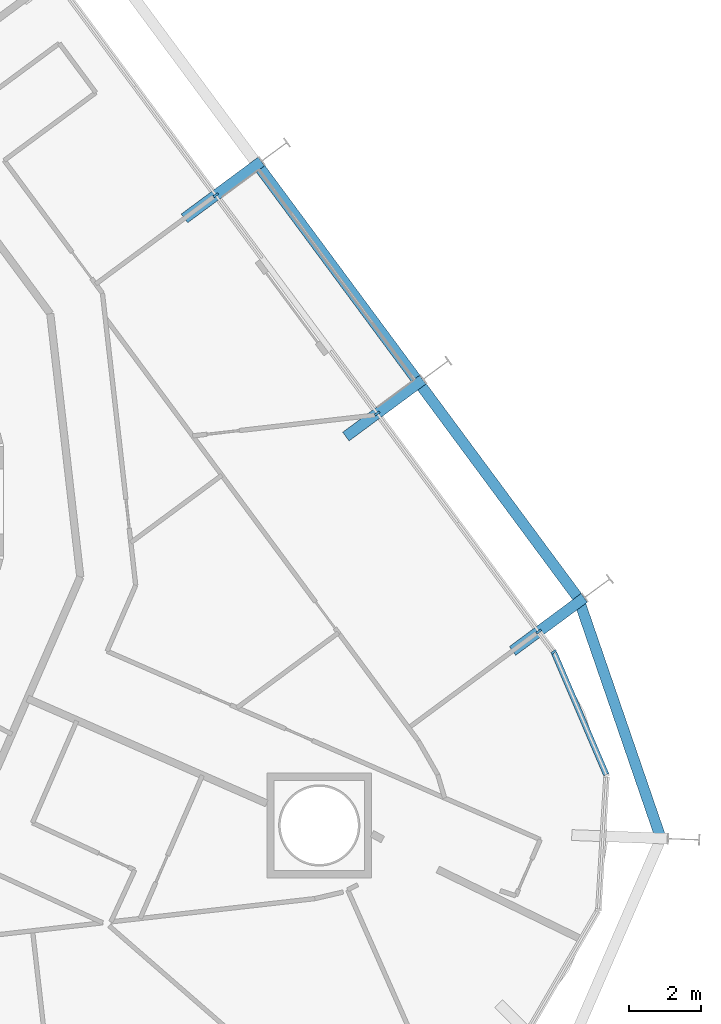
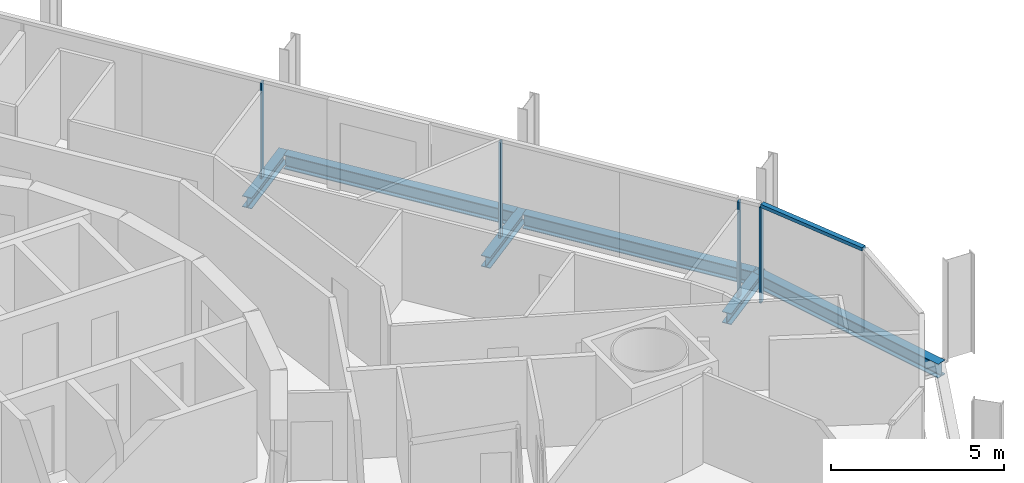
# One storey, part 8 of 23: 6 beams, 5 members, 2 elements without a shape of their own.
"""IFC4 building model written with IfcOpenShell, lengths in metres."""

from ifc_helpers import new_model, si_unit, direction, frame, origin, origin_2d, place, context, subcontext, project, spatial, rectangle, i_section, extrude, material, layer, layer_set, material_profile, profile_set, type_object, element, aggregate, save


model = new_model("IFC4")

# Units and contexts
model_context = context("Model", 3, precision=1e-05, world=origin(), true_north=direction((0.0, 1.0)))
body_context = subcontext(model_context, "Body", "Model", "MODEL_VIEW")
ifc_project = project(units=[si_unit("LENGTHUNIT", "METRE"), si_unit("AREAUNIT", "SQUARE_METRE"), si_unit("VOLUMEUNIT", "CUBIC_METRE"), si_unit("PLANEANGLEUNIT", "RADIAN"), si_unit("MASSUNIT", "GRAM", prefix="KILO")], contexts=[model_context])

# Site, building, storey
site_placement = place(None, origin())
site = spatial("IfcSite", under=ifc_project, at=site_placement, CompositionType="ELEMENT")
building_placement = place(site_placement, origin())
building = spatial("IfcBuilding", under=site, at=building_placement, Name="Spindle Arch Residences", CompositionType="ELEMENT")
storey_placement = place(building_placement, frame((0.0, 0.0, 83.699951171875)))
storey = spatial("IfcBuildingStorey", under=building, at=storey_placement, Name="L19", CompositionType="ELEMENT", Elevation=83.699951171875)

# Curtain wall, member
ifc_material_1 = material(Name="Aluminium bronze unitised frame with tinted glass", Category="aluminium")
ifc_layer_1 = layer(ifc_material_1, 0.159912109375)
ifc_layer_set_1 = layer_set([ifc_layer_1], Name="CW-D corner wall on the fillet arcs")
curtain_wall_type_1 = type_object("IfcCurtainWallType", Name="CW-D corner wall on the fillet arcs", PredefinedType="NOTDEFINED", material=ifc_layer_set_1)
curtain_wall_1_placement = place(storey_placement, origin())
curtain_wall_1 = element("IfcCurtainWall", 1, at=curtain_wall_1_placement, inside=storey, type_object=curtain_wall_type_1, Name="CW-D L19 run 1", PredefinedType="NOTDEFINED")
ifc_material_2 = material(Name="Aluminium bronze anodised mullion", Category="aluminium")
ifc_material_profile_1 = material_profile(ifc_material_2, rectangle(XDim=0.159912109375, YDim=0.06005859375, at=origin_2d()), Name="MU 60x160")
ifc_profile_set_1 = profile_set([ifc_material_profile_1], Name="Aluminium bronze anodised mullion")
member_type_1 = type_object("IfcMemberType", Name="Bronze mullion 60x160", PredefinedType="MULLION", material=ifc_profile_set_1)
member_1_placement = place(storey_placement, frame((27.142822265625, -4.171630859375, -0.3798828125), z_axis=(0.0, 0.0, 1.0), x_axis=(-0.803856860617, -0.594822786751, 0.0)))
member_1 = element("IfcMember", 2, at=member_1_placement, type_object=member_type_1, Name="CW-D mullion 05", PredefinedType="MULLION", context=body_context, shape_type="SweptSolid", body=[
    extrude(rectangle(XDim=0.159912109375, YDim=0.06005859375, at=origin_2d()), origin(), (0.0, 0.0, 1.0), 3.3798828125),
])

# Curtain wall, members
ifc_material_3 = material(Name="Aluminium bronze unitised frame with tinted glass", Category="aluminium")
ifc_layer_2 = layer(ifc_material_3, 0.159912109375)
ifc_layer_set_2 = layer_set([ifc_layer_2], Name="CW-C typical residential unitised wall")
curtain_wall_type_2 = type_object("IfcCurtainWallType", Name="CW-C typical residential unitised wall", PredefinedType="NOTDEFINED", material=ifc_layer_set_2)
curtain_wall_2_placement = place(storey_placement, origin())
curtain_wall_2 = element("IfcCurtainWall", 3, at=curtain_wall_2_placement, inside=storey, type_object=curtain_wall_type_2, Name="CW-C L19 run 2", PredefinedType="NOTDEFINED")
member_2_placement = place(storey_placement, frame((26.7255859375, -3.607666015625, -0.3798828125), z_axis=(0.0, 0.0, 1.0), x_axis=(-0.803856860617, -0.594822786751, 0.0)))
member_2 = element("IfcMember", 4, at=member_2_placement, type_object=member_type_1, Name="CW-C mullion 05", PredefinedType="MULLION", context=body_context, shape_type="SweptSolid", body=[
    extrude(rectangle(XDim=0.159912109375, YDim=0.06005859375, at=origin_2d()), origin(), (0.0, 0.0, 1.0), 3.3798828125),
])
member_3_placement = place(storey_placement, frame((22.253173828125, 2.436279296875, -0.3798828125), z_axis=(0.0, 0.0, 1.0), x_axis=(-0.803856860617, -0.594822786751, 0.0)))
member_3 = element("IfcMember", 5, at=member_3_placement, type_object=member_type_1, Name="CW-C mullion 06", PredefinedType="MULLION", context=body_context, shape_type="SweptSolid", body=[
    extrude(rectangle(XDim=0.159912109375, YDim=0.06005859375, at=origin_2d()), origin(), (0.0, 0.0, 1.0), 3.3798828125),
])
member_4_placement = place(storey_placement, frame((17.78076171875, 8.48046875, -0.3798828125), z_axis=(0.0, 0.0, 1.0), x_axis=(-0.803856860617, -0.594822786751, 0.0)))
member_4 = element("IfcMember", 6, at=member_4_placement, type_object=member_type_1, Name="CW-C mullion 07", PredefinedType="MULLION", context=body_context, shape_type="SweptSolid", body=[
    extrude(rectangle(XDim=0.159912109375, YDim=0.06005859375, at=origin_2d()), origin(), (0.0, 0.0, 1.0), 3.3798828125),
])
aggregate(curtain_wall_2, [member_2, member_3, member_4])

# Member
ifc_material_4 = material(Name="Aluminium bronze anodised transom", Category="aluminium")
ifc_material_profile_2 = material_profile(ifc_material_4, rectangle(XDim=0.159912109375, YDim=0.1201171875, at=origin_2d()), Name="TR 120x160")
ifc_profile_set_2 = profile_set([ifc_material_profile_2], Name="Aluminium bronze anodised transom")
member_type_2 = type_object("IfcMemberType", Name="Bronze transom 120x160", PredefinedType="USERDEFINED", material=ifc_profile_set_2)
member_5_placement = place(storey_placement, frame((28.59716796875, -7.5703125, 3.06005859375), z_axis=(-0.393429066236, 0.919354974882, 0.0), x_axis=(-0.919354974882, -0.393429066236, 0.0)))
member_5 = element("IfcMember", 7, at=member_5_placement, type_object=member_type_2, Name="CW-D transom 04", ObjectType="TRANSOM", PredefinedType="USERDEFINED", context=body_context, shape_type="SweptSolid", body=[
    extrude(rectangle(XDim=0.159912109375, YDim=0.1201171875, at=origin_2d()), origin(), (0.0, 0.0, 1.0), 3.666748046875),
])

aggregate(curtain_wall_1, [member_5, member_1])

# Beams
ifc_material_5 = material(Name="Steel S460ML, intumescent coating R 120", Category="steel")
ifc_material_profile_3 = material_profile(ifc_material_5, i_section(OverallWidth=0.300048828125, OverallDepth=0.5, WebThickness=0.014404296875, FlangeThickness=0.028076171875, FilletRadius=0.027099609375, at=origin_2d()), Name="HEB 500")
ifc_profile_set_3 = profile_set([ifc_material_profile_3], Name="Steel S460ML, intumescent coating R 120")
beam_type_1 = type_object("IfcBeamType", Name="Exoskeleton edge beam HEB 500", PredefinedType="BEAM", material=ifc_profile_set_3)
beam_1_placement = place(storey_placement, frame((30.13720703125, -9.4111328125, -0.6298828125), z_axis=(-0.325113431361, 0.94567502703, 0.0), x_axis=(-0.94567502703, -0.325113431361, 0.0)))
element("IfcBeam", 8, at=beam_1_placement, inside=storey, type_object=beam_type_1, Name="Exoskeleton edge beam 5", PredefinedType="BEAM", context=body_context, shape_type="SweptSolid", body=[
    extrude(i_section(OverallWidth=0.300048828125, OverallDepth=0.5, WebThickness=0.014404296875, FlangeThickness=0.028076171875, FilletRadius=0.027099609375, at=origin_2d()), origin(), (0.0, 0.0, 1.0), 7.09423828125),
])
for number, where, z_axis, x_axis, name in (
    (9, (27.800048828125, -2.65087890625, -0.6298828125), (-0.594821272041, 0.803857981441, 0.0), (-0.803857981441, -0.594821272041, 0.0), "Exoskeleton edge beam 6"),
    (10, (23.32763671875, 3.393310546875, -0.6298828125), (-0.594821272041, 0.803857981441, 0.0), (-0.803857981441, -0.594821272041, 0.0), "Exoskeleton edge beam 7"),
):
    element("IfcBeam", number, at=place(storey_placement, frame(where, z_axis=z_axis, x_axis=x_axis)), inside=storey, type_object=beam_type_1, Name=name, PredefinedType="BEAM", context=body_context, shape_type="SweptSolid", body=[
        extrude(i_section(OverallWidth=0.300048828125, OverallDepth=0.5, WebThickness=0.014404296875, FlangeThickness=0.028076171875, FilletRadius=0.027099609375, at=origin_2d()), origin(), (0.0, 0.0, 1.0), 7.2587890625),
    ])
ifc_material_6 = material(Name="Steel S460ML, intumescent coating R 120", Category="steel")
ifc_material_profile_4 = material_profile(ifc_material_6, i_section(OverallWidth=0.300048828125, OverallDepth=0.389892578125, WebThickness=0.010986328125, FlangeThickness=0.01904296875, FilletRadius=0.027099609375, at=origin_2d()), Name="HEA 400")
ifc_profile_set_4 = profile_set([ifc_material_profile_4], Name="Steel S460ML, intumescent coating R 120")
beam_type_2 = type_object("IfcBeamType", Name="Floor outrigger HEA 400", PredefinedType="BEAM", material=ifc_profile_set_4)
beam_2_placement = place(storey_placement, frame((27.987548828125, -2.673828125, -0.574951171875), z_axis=(-0.803824891941, -0.59486598751, 0.0), x_axis=(0.59486598751, -0.803824891941, 0.0)))
element("IfcBeam", 11, at=beam_2_placement, inside=storey, type_object=beam_type_2, Name="Floor outrigger 6", PredefinedType="BEAM", context=body_context, shape_type="SweptSolid", body=[
    extrude(i_section(OverallWidth=0.300048828125, OverallDepth=0.389892578125, WebThickness=0.010986328125, FlangeThickness=0.01904296875, FilletRadius=0.027099609375, at=origin_2d()), origin(), (0.0, 0.0, 1.0), 2.47119140625),
])
beam_3_placement = place(storey_placement, frame((23.51513671875, 3.3701171875, -0.574951171875), z_axis=(-0.803863925893, -0.59481323846, 0.0), x_axis=(0.59481323846, -0.803863925893, 0.0)))
element("IfcBeam", 12, at=beam_3_placement, inside=storey, type_object=beam_type_2, Name="Floor outrigger 7", PredefinedType="BEAM", context=body_context, shape_type="SweptSolid", body=[
    extrude(i_section(OverallWidth=0.300048828125, OverallDepth=0.389892578125, WebThickness=0.010986328125, FlangeThickness=0.01904296875, FilletRadius=0.027099609375, at=origin_2d()), origin(), (0.0, 0.0, 1.0), 2.64990234375),
])
beam_4_placement = place(storey_placement, frame((19.04296875, 9.414306640625, -0.574951171875), z_axis=(-0.80385247079, -0.594828719217, 0.0), x_axis=(0.594828719217, -0.80385247079, 0.0)))
element("IfcBeam", 13, at=beam_4_placement, inside=storey, type_object=beam_type_2, Name="Floor outrigger 8", PredefinedType="BEAM", context=body_context, shape_type="SweptSolid", body=[
    extrude(i_section(OverallWidth=0.300048828125, OverallDepth=0.389892578125, WebThickness=0.010986328125, FlangeThickness=0.01904296875, FilletRadius=0.027099609375, at=origin_2d()), origin(), (0.0, 0.0, 1.0), 2.650146484375),
])

save(model, "model.ifc")
